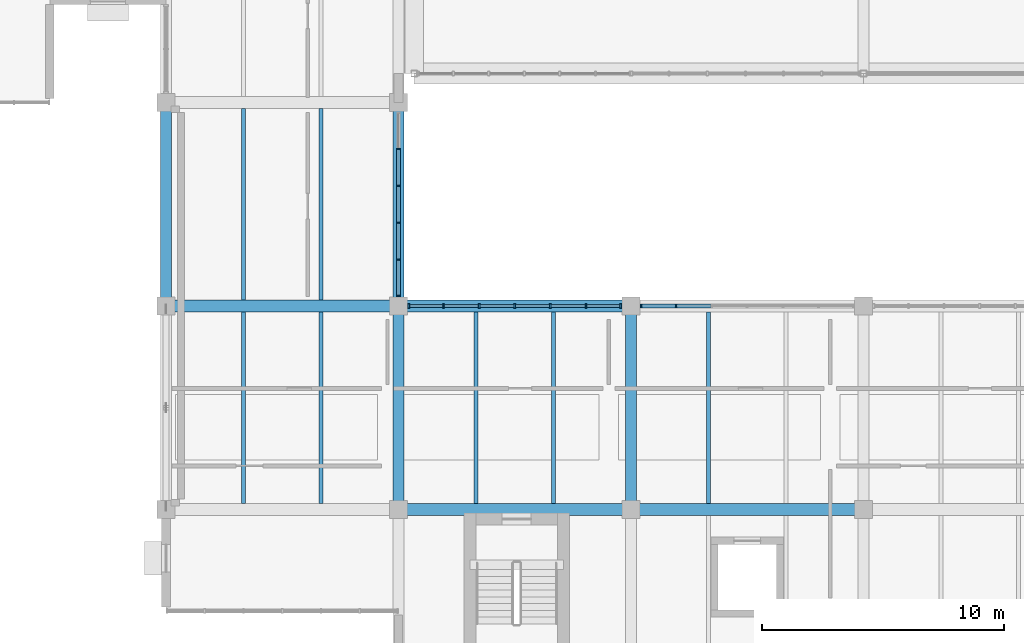
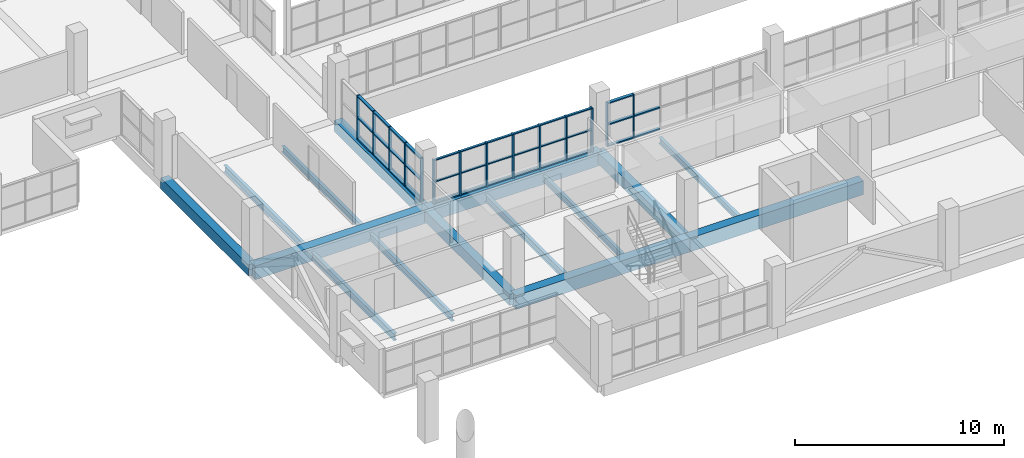
# One storey, part 52 of 147: 49 members, 15 beams, 3 elements without a shape of their own.
"""IFC4 building model written with IfcOpenShell, lengths in metres."""

from ifc_helpers import new_model, si_unit, direction, frame, origin, origin_2d, place, context, subcontext, project, spatial, rectangle, i_section, extrude, material, material_profile, profile_set, type_object, element, aggregate, save


model = new_model("IFC4")

# Units and contexts
model_context = context("Model", 3, precision=1e-05, world=origin(), true_north=direction((0.0, 1.0)))
body_context = subcontext(model_context, "Body", "Model", "MODEL_VIEW")
ifc_project = project(units=[si_unit("LENGTHUNIT", "METRE"), si_unit("AREAUNIT", "SQUARE_METRE"), si_unit("VOLUMEUNIT", "CUBIC_METRE"), si_unit("PLANEANGLEUNIT", "RADIAN"), si_unit("MASSUNIT", "GRAM", prefix="KILO")], contexts=[model_context])

# Site, building, storey
site_placement = place(None, origin())
site = spatial("IfcSite", under=ifc_project, at=site_placement, CompositionType="ELEMENT")
building_placement = place(site_placement, origin())
building = spatial("IfcBuilding", under=site, at=building_placement, Name="Oolite Switchyard Hospital", CompositionType="ELEMENT")
storey_placement = place(building_placement, frame((0.0, 0.0, 9.89990234375)))
storey = spatial("IfcBuildingStorey", under=building, at=storey_placement, Name="L02", CompositionType="ELEMENT", Elevation=9.89990234375)

# Beams
ifc_material_1 = material(Name="Concrete C40/50", Category="concrete")
ifc_material_profile_1 = material_profile(ifc_material_1, rectangle(XDim=0.449951171875, YDim=0.64990234375, at=origin_2d()), Name="RCB450X650")
ifc_profile_set_1 = profile_set([ifc_material_profile_1], Name="Concrete C40/50")
beam_type_1 = type_object("IfcBeamType", Name="BM-RC450X650", PredefinedType="BEAM", material=ifc_profile_set_1)
beam_1_placement = place(storey_placement, frame((134.39990234375, 25.199951171875, -0.324951171875), z_axis=(0.0, 1.0, 0.0), x_axis=(-1.0, 0.0, 0.0)))
element("IfcBeam", 1, at=beam_1_placement, inside=storey, type_object=beam_type_1, Name="L02 Y-Girder 1401", PredefinedType="BEAM", context=body_context, shape_type="SweptSolid", body=[
    extrude(rectangle(XDim=0.449951171875, YDim=0.64990234375, at=origin_2d()), origin(), (0.0, 0.0, 1.0), 8.400146484375),
])
beam_2_placement = place(storey_placement, frame((144.0, 16.800048828125, -0.324951171875), z_axis=(0.0, 1.0, 0.0), x_axis=(-1.0, 0.0, 0.0)))
element("IfcBeam", 2, at=beam_2_placement, inside=storey, type_object=beam_type_1, Name="L02 Y-Girder 1415", PredefinedType="BEAM", context=body_context, shape_type="SweptSolid", body=[
    extrude(rectangle(XDim=0.449951171875, YDim=0.64990234375, at=origin_2d()), origin(), (0.0, 0.0, 1.0), 8.39990234375),
])
beam_3_placement = place(storey_placement, frame((144.0, 25.199951171875, -0.324951171875), z_axis=(0.0, 1.0, 0.0), x_axis=(-1.0, 0.0, 0.0)))
element("IfcBeam", 3, at=beam_3_placement, inside=storey, type_object=beam_type_1, Name="L02 Y-Girder 1416", PredefinedType="BEAM", context=body_context, shape_type="SweptSolid", body=[
    extrude(rectangle(XDim=0.449951171875, YDim=0.64990234375, at=origin_2d()), origin(), (0.0, 0.0, 1.0), 8.400146484375),
])
beam_4_placement = place(storey_placement, frame((153.60009765625, 16.800048828125, -0.324951171875), z_axis=(0.0, 1.0, 0.0), x_axis=(-1.0, 0.0, 0.0)))
element("IfcBeam", 4, at=beam_4_placement, inside=storey, type_object=beam_type_1, Name="L02 Y-Girder 1432", PredefinedType="BEAM", context=body_context, shape_type="SweptSolid", body=[
    extrude(rectangle(XDim=0.449951171875, YDim=0.64990234375, at=origin_2d()), origin(), (0.0, 0.0, 1.0), 8.39990234375),
])
ifc_material_profile_2 = material_profile(ifc_material_1, rectangle(XDim=0.5, YDim=0.800048828125, at=origin_2d()), Name="RCB500X800")
ifc_profile_set_2 = profile_set([ifc_material_profile_2], Name="Concrete C40/50")
beam_type_2 = type_object("IfcBeamType", Name="BM-RC500X800", PredefinedType="BEAM", material=ifc_profile_set_2)
beam_5_placement = place(storey_placement, frame((144.0, 16.800048828125, -0.39990234375), z_axis=(1.0, 0.0, 0.0), x_axis=(0.0, 1.0, 0.0)))
element("IfcBeam", 5, at=beam_5_placement, inside=storey, type_object=beam_type_2, Name="L02 X-Girder 1012", PredefinedType="BEAM", context=body_context, shape_type="SweptSolid", body=[
    extrude(rectangle(XDim=0.5, YDim=0.800048828125, at=origin_2d()), origin(), (0.0, 0.0, 1.0), 9.60009765625),
])
beam_6_placement = place(storey_placement, frame((153.60009765625, 16.800048828125, -0.39990234375), z_axis=(1.0, 0.0, 0.0), x_axis=(0.0, 1.0, 0.0)))
element("IfcBeam", 6, at=beam_6_placement, inside=storey, type_object=beam_type_2, Name="L02 X-Girder 1013", PredefinedType="BEAM", context=body_context, shape_type="SweptSolid", body=[
    extrude(rectangle(XDim=0.5, YDim=0.800048828125, at=origin_2d()), origin(), (0.0, 0.0, 1.0), 9.599853515625),
])
for number, where, z_axis, x_axis, name in (
    (7, (134.39990234375, 25.199951171875, -0.39990234375), (1.0, 0.0, 0.0), (0.0, 1.0, 0.0), "L02 X-Girder 1026"),
    (8, (144.0, 25.199951171875, -0.39990234375), (1.0, 0.0, 0.0), (0.0, 1.0, 0.0), "L02 X-Girder 1027"),
):
    element("IfcBeam", number, at=place(storey_placement, frame(where, z_axis=z_axis, x_axis=x_axis)), inside=storey, type_object=beam_type_2, Name=name, PredefinedType="BEAM", context=body_context, shape_type="SweptSolid", body=[
        extrude(rectangle(XDim=0.5, YDim=0.800048828125, at=origin_2d()), origin(), (0.0, 0.0, 1.0), 9.60009765625),
    ])
ifc_material_2 = material(Name="Steel ASTM A992 Grade 50", Category="steel")
ifc_material_profile_3 = material_profile(ifc_material_2, i_section(OverallWidth=0.1708984375, OverallDepth=0.35107421875, WebThickness=0.007080078125, FlangeThickness=0.010009765625, at=origin_2d()), Name="W14X30")
ifc_profile_set_3 = profile_set([ifc_material_profile_3], Name="Steel ASTM A992 Grade 50")
beam_type_3 = type_object("IfcBeamType", Name="BM-W14X30", PredefinedType="JOIST", material=ifc_profile_set_3)
beam_7_placement = place(storey_placement, frame((140.800048828125, 25.449951171875, -0.434814453125), z_axis=(0.0, 1.0, 0.0), x_axis=(-1.0, 0.0, 0.0)))
element("IfcBeam", 9, at=beam_7_placement, inside=storey, type_object=beam_type_3, Name="L02 Secondary Steel Joist 1767", PredefinedType="JOIST", context=body_context, shape_type="SweptSolid", body=[
    extrude(i_section(OverallWidth=0.1708984375, OverallDepth=0.35107421875, WebThickness=0.007080078125, FlangeThickness=0.010009765625, at=origin_2d()), origin(), (0.0, 0.0, 1.0), 7.900146484375),
])
for number, where, z_axis, x_axis, name in (
    (10, (150.39990234375, 17.050048828125, -0.434814453125), (0.0, 1.0, 0.0), (-1.0, 0.0, 0.0), "L02 Secondary Steel Joist 1793"),
    (11, (156.800048828125, 17.050048828125, -0.434814453125), (0.0, 1.0, 0.0), (-1.0, 0.0, 0.0), "L02 Secondary Steel Joist 1814"),
):
    element("IfcBeam", number, at=place(storey_placement, frame(where, z_axis=z_axis, x_axis=x_axis)), inside=storey, type_object=beam_type_3, Name=name, PredefinedType="JOIST", context=body_context, shape_type="SweptSolid", body=[
        extrude(i_section(OverallWidth=0.1708984375, OverallDepth=0.35107421875, WebThickness=0.007080078125, FlangeThickness=0.010009765625, at=origin_2d()), origin(), (0.0, 0.0, 1.0), 7.89990234375),
    ])
ifc_material_profile_4 = material_profile(ifc_material_2, i_section(OverallWidth=0.177978515625, OverallDepth=0.403076171875, WebThickness=0.008056640625, FlangeThickness=0.010986328125, at=origin_2d()), Name="W16X36")
ifc_profile_set_4 = profile_set([ifc_material_profile_4], Name="Steel ASTM A992 Grade 50")
beam_type_4 = type_object("IfcBeamType", Name="BM-W16X36", PredefinedType="JOIST", material=ifc_profile_set_4)
beam_8_placement = place(storey_placement, frame((140.800048828125, 17.050048828125, -0.4609375), z_axis=(0.0, 1.0, 0.0), x_axis=(-1.0, 0.0, 0.0)))
element("IfcBeam", 12, at=beam_8_placement, inside=storey, type_object=beam_type_4, Name="L02 Secondary Steel Joist 1765", PredefinedType="JOIST", context=body_context, shape_type="SweptSolid", body=[
    extrude(i_section(OverallWidth=0.177978515625, OverallDepth=0.403076171875, WebThickness=0.008056640625, FlangeThickness=0.010986328125, at=origin_2d()), origin(), (0.0, 0.0, 1.0), 7.89990234375),
])
beam_9_placement = place(storey_placement, frame((137.60009765625, 25.449951171875, -0.4609375), z_axis=(0.0, 1.0, 0.0), x_axis=(-1.0, 0.0, 0.0)))
element("IfcBeam", 13, at=beam_9_placement, inside=storey, type_object=beam_type_4, Name="L02 Secondary Steel Joist 1766", PredefinedType="JOIST", context=body_context, shape_type="SweptSolid", body=[
    extrude(i_section(OverallWidth=0.177978515625, OverallDepth=0.403076171875, WebThickness=0.008056640625, FlangeThickness=0.010986328125, at=origin_2d()), origin(), (0.0, 0.0, 1.0), 7.900146484375),
])
beam_10_placement = place(storey_placement, frame((147.199951171875, 17.050048828125, -0.4609375), z_axis=(0.0, 1.0, 0.0), x_axis=(-1.0, 0.0, 0.0)))
element("IfcBeam", 14, at=beam_10_placement, inside=storey, type_object=beam_type_4, Name="L02 Secondary Steel Joist 1792", PredefinedType="JOIST", context=body_context, shape_type="SweptSolid", body=[
    extrude(i_section(OverallWidth=0.177978515625, OverallDepth=0.403076171875, WebThickness=0.008056640625, FlangeThickness=0.010986328125, at=origin_2d()), origin(), (0.0, 0.0, 1.0), 7.89990234375),
])
ifc_material_profile_5 = material_profile(ifc_material_2, i_section(OverallWidth=0.179931640625, OverallDepth=0.4130859375, WebThickness=0.010009765625, FlangeThickness=0.01611328125, at=origin_2d()), Name="W16X50")
ifc_profile_set_5 = profile_set([ifc_material_profile_5], Name="Steel ASTM A992 Grade 50")
beam_type_5 = type_object("IfcBeamType", Name="BM-W16X50", PredefinedType="JOIST", material=ifc_profile_set_5)
beam_11_placement = place(storey_placement, frame((137.60009765625, 17.050048828125, -0.4658203125), z_axis=(0.0, 1.0, 0.0), x_axis=(-1.0, 0.0, 0.0)))
element("IfcBeam", 15, at=beam_11_placement, inside=storey, type_object=beam_type_5, Name="L02 Secondary Steel Joist 1764", PredefinedType="JOIST", context=body_context, shape_type="SweptSolid", body=[
    extrude(i_section(OverallWidth=0.179931640625, OverallDepth=0.4130859375, WebThickness=0.010009765625, FlangeThickness=0.01611328125, at=origin_2d()), origin(), (0.0, 0.0, 1.0), 7.89990234375),
])

# Curtain wall, members
ifc_material_3 = material(Name="Thermally broken aluminum frame with laminated impact glazing", Category="aluminium")
curtain_wall_type_1 = type_object("IfcCurtainWallType", Name="CW-UNIT-96X36", PredefinedType="USERDEFINED", material=ifc_material_3)
curtain_wall_1_placement = place(storey_placement, origin())
curtain_wall_1 = element("IfcCurtainWall", 16, at=curtain_wall_1_placement, inside=storey, type_object=curtain_wall_type_1, Name="L02 Unitised Curtain Wall 217", ObjectType="UNITISED", PredefinedType="USERDEFINED")
ifc_material_4 = material(Name="Aluminium 6063-T6", Category="aluminium")
ifc_material_profile_6 = material_profile(ifc_material_4, rectangle(XDim=0.159912109375, YDim=0.06005859375, at=origin_2d()), Name="CWM60X160")
ifc_profile_set_6 = profile_set([ifc_material_profile_6], Name="Aluminium 6063-T6")
member_type_1 = type_object("IfcMemberType", Name="CW-MUL-180", PredefinedType="MULLION", material=ifc_profile_set_6)
member_1_placement = place(storey_placement, frame((154.02001953125, 25.199951171875, 0.0), z_axis=(0.0, 0.0, 1.0), x_axis=(0.0, 1.0, 0.0)))
member_1 = element("IfcMember", 17, at=member_1_placement, type_object=member_type_1, Name="CW-03 mullion 1", PredefinedType="MULLION", context=body_context, shape_type="SweptSolid", body=[
    extrude(rectangle(XDim=0.159912109375, YDim=0.06005859375, at=origin_2d()), origin(), (0.0, 0.0, 1.0), 2.570068359375),
])
member_2_placement = place(storey_placement, frame((155.4599609375, 25.199951171875, 0.0), z_axis=(0.0, 0.0, 1.0), x_axis=(0.0, 1.0, 0.0)))
member_2 = element("IfcMember", 18, at=member_2_placement, type_object=member_type_1, Name="CW-03 mullion 2", PredefinedType="MULLION", context=body_context, shape_type="SweptSolid", body=[
    extrude(rectangle(XDim=0.159912109375, YDim=0.06005859375, at=origin_2d()), origin(), (0.0, 0.0, 1.0), 2.570068359375),
])

curtain_wall_type_2 = type_object("IfcCurtainWallType", Name="CW-UNIT-84X36", PredefinedType="USERDEFINED", material=ifc_material_3)
curtain_wall_2_placement = place(storey_placement, origin())
curtain_wall_2 = element("IfcCurtainWall", 19, at=curtain_wall_2_placement, inside=storey, type_object=curtain_wall_type_2, Name="L02 Unitised Curtain Wall 301", ObjectType="UNITISED", PredefinedType="USERDEFINED")
member_3_placement = place(storey_placement, frame((144.0, 31.68603515625, 0.0), z_axis=(0.0, 0.0, 1.0), x_axis=(1.0, 0.0, 0.0)))
member_3 = element("IfcMember", 20, at=member_3_placement, type_object=member_type_1, Name="CW-08 mullion 2", PredefinedType="MULLION", context=body_context, shape_type="SweptSolid", body=[
    extrude(rectangle(XDim=0.159912109375, YDim=0.06005859375, at=origin_2d()), origin(), (0.0, 0.0, 1.0), 2.570068359375),
])
member_4_placement = place(storey_placement, frame((144.0, 30.162109375, 0.0), z_axis=(0.0, 0.0, 1.0), x_axis=(1.0, 0.0, 0.0)))
member_4 = element("IfcMember", 21, at=member_4_placement, type_object=member_type_1, Name="CW-08 mullion 3", PredefinedType="MULLION", context=body_context, shape_type="SweptSolid", body=[
    extrude(rectangle(XDim=0.159912109375, YDim=0.06005859375, at=origin_2d()), origin(), (0.0, 0.0, 1.0), 2.570068359375),
])
member_5_placement = place(storey_placement, frame((144.0, 28.637939453125, 0.0), z_axis=(0.0, 0.0, 1.0), x_axis=(1.0, 0.0, 0.0)))
member_5 = element("IfcMember", 22, at=member_5_placement, type_object=member_type_1, Name="CW-08 mullion 4", PredefinedType="MULLION", context=body_context, shape_type="SweptSolid", body=[
    extrude(rectangle(XDim=0.159912109375, YDim=0.06005859375, at=origin_2d()), origin(), (0.0, 0.0, 1.0), 2.570068359375),
])
member_6_placement = place(storey_placement, frame((144.0, 27.114013671875, 0.0), z_axis=(0.0, 0.0, 1.0), x_axis=(1.0, 0.0, 0.0)))
member_6 = element("IfcMember", 23, at=member_6_placement, type_object=member_type_1, Name="CW-08 mullion 5", PredefinedType="MULLION", context=body_context, shape_type="SweptSolid", body=[
    extrude(rectangle(XDim=0.159912109375, YDim=0.06005859375, at=origin_2d()), origin(), (0.0, 0.0, 1.0), 2.570068359375),
])
member_7_placement = place(storey_placement, frame((144.0, 25.6201171875, 0.0), z_axis=(0.0, 0.0, 1.0), x_axis=(1.0, 0.0, 0.0)))
member_7 = element("IfcMember", 24, at=member_7_placement, type_object=member_type_1, Name="CW-08 mullion 6", PredefinedType="MULLION", context=body_context, shape_type="SweptSolid", body=[
    extrude(rectangle(XDim=0.159912109375, YDim=0.06005859375, at=origin_2d()), origin(), (0.0, 0.0, 1.0), 2.570068359375),
])

curtain_wall_3_placement = place(storey_placement, origin())
curtain_wall_3 = element("IfcCurtainWall", 25, at=curtain_wall_3_placement, inside=storey, type_object=curtain_wall_type_1, Name="L02 Unitised Curtain Wall 216", ObjectType="UNITISED", PredefinedType="USERDEFINED")
ifc_material_profile_7 = material_profile(ifc_material_4, rectangle(XDim=0.199951171875, YDim=0.074951171875, at=origin_2d()), Name="CWM75X200")
ifc_profile_set_7 = profile_set([ifc_material_profile_7], Name="Aluminium 6063-T6")
member_type_2 = type_object("IfcMemberType", Name="CW-MUL-260", PredefinedType="MULLION", material=ifc_profile_set_7)
member_8_placement = place(storey_placement, frame((144.427490234375, 25.199951171875, 0.0), z_axis=(0.0, 0.0, 1.0), x_axis=(0.0, 1.0, 0.0)))
member_8 = element("IfcMember", 26, at=member_8_placement, type_object=member_type_2, Name="CW-03 mullion 1", PredefinedType="MULLION", context=body_context, shape_type="SweptSolid", body=[
    extrude(rectangle(XDim=0.199951171875, YDim=0.074951171875, at=origin_2d()), origin(), (0.0, 0.0, 1.0), 2.570068359375),
])
member_9_placement = place(storey_placement, frame((145.860107421875, 25.199951171875, 0.0), z_axis=(0.0, 0.0, 1.0), x_axis=(0.0, 1.0, 0.0)))
member_9 = element("IfcMember", 27, at=member_9_placement, type_object=member_type_2, Name="CW-03 mullion 2", PredefinedType="MULLION", context=body_context, shape_type="SweptSolid", body=[
    extrude(rectangle(XDim=0.199951171875, YDim=0.074951171875, at=origin_2d()), origin(), (0.0, 0.0, 1.0), 2.570068359375),
])
member_10_placement = place(storey_placement, frame((147.330078125, 25.199951171875, 0.0), z_axis=(0.0, 0.0, 1.0), x_axis=(0.0, 1.0, 0.0)))
member_10 = element("IfcMember", 28, at=member_10_placement, type_object=member_type_2, Name="CW-03 mullion 3", PredefinedType="MULLION", context=body_context, shape_type="SweptSolid", body=[
    extrude(rectangle(XDim=0.199951171875, YDim=0.074951171875, at=origin_2d()), origin(), (0.0, 0.0, 1.0), 2.570068359375),
])
member_11_placement = place(storey_placement, frame((148.800048828125, 25.199951171875, 0.0), z_axis=(0.0, 0.0, 1.0), x_axis=(0.0, 1.0, 0.0)))
member_11 = element("IfcMember", 29, at=member_11_placement, type_object=member_type_2, Name="CW-03 mullion 4", PredefinedType="MULLION", context=body_context, shape_type="SweptSolid", body=[
    extrude(rectangle(XDim=0.199951171875, YDim=0.074951171875, at=origin_2d()), origin(), (0.0, 0.0, 1.0), 2.570068359375),
])
member_12_placement = place(storey_placement, frame((150.27001953125, 25.199951171875, 0.0), z_axis=(0.0, 0.0, 1.0), x_axis=(0.0, 1.0, 0.0)))
member_12 = element("IfcMember", 30, at=member_12_placement, type_object=member_type_2, Name="CW-03 mullion 5", PredefinedType="MULLION", context=body_context, shape_type="SweptSolid", body=[
    extrude(rectangle(XDim=0.199951171875, YDim=0.074951171875, at=origin_2d()), origin(), (0.0, 0.0, 1.0), 2.570068359375),
])
member_13_placement = place(storey_placement, frame((151.739990234375, 25.199951171875, 0.0), z_axis=(0.0, 0.0, 1.0), x_axis=(0.0, 1.0, 0.0)))
member_13 = element("IfcMember", 31, at=member_13_placement, type_object=member_type_2, Name="CW-03 mullion 6", PredefinedType="MULLION", context=body_context, shape_type="SweptSolid", body=[
    extrude(rectangle(XDim=0.199951171875, YDim=0.074951171875, at=origin_2d()), origin(), (0.0, 0.0, 1.0), 2.570068359375),
])
member_14_placement = place(storey_placement, frame((153.172607421875, 25.199951171875, 0.0), z_axis=(0.0, 0.0, 1.0), x_axis=(0.0, 1.0, 0.0)))
member_14 = element("IfcMember", 32, at=member_14_placement, type_object=member_type_2, Name="CW-03 mullion 7", PredefinedType="MULLION", context=body_context, shape_type="SweptSolid", body=[
    extrude(rectangle(XDim=0.199951171875, YDim=0.074951171875, at=origin_2d()), origin(), (0.0, 0.0, 1.0), 2.570068359375),
])
ifc_material_profile_8 = material_profile(ifc_material_4, rectangle(XDim=0.1201171875, YDim=0.06005859375, at=origin_2d()), Name="CWT60X120")
ifc_profile_set_8 = profile_set([ifc_material_profile_8], Name="Aluminium 6063-T6")
member_type_3 = type_object("IfcMemberType", Name="CW-TRN-150", PredefinedType="USERDEFINED", material=ifc_profile_set_8)
member_15_placement = place(storey_placement, frame((144.465087890625, 25.199951171875, 0.030029296875), z_axis=(1.0, 0.0, 0.0), x_axis=(0.0, 1.0, 0.0)))
member_15 = element("IfcMember", 33, at=member_15_placement, type_object=member_type_3, Name="CW-03 transom 1.1", ObjectType="TRANSOM", PredefinedType="USERDEFINED", context=body_context, shape_type="SweptSolid", body=[
    extrude(rectangle(XDim=0.1201171875, YDim=0.06005859375, at=origin_2d()), origin(), (0.0, 0.0, 1.0), 1.357421875),
])
member_16_placement = place(storey_placement, frame((144.465087890625, 25.199951171875, 1.28515625), z_axis=(1.0, 0.0, 0.0), x_axis=(0.0, 1.0, 0.0)))
member_16 = element("IfcMember", 34, at=member_16_placement, type_object=member_type_3, Name="CW-03 transom 1.2", ObjectType="TRANSOM", PredefinedType="USERDEFINED", context=body_context, shape_type="SweptSolid", body=[
    extrude(rectangle(XDim=0.1201171875, YDim=0.06005859375, at=origin_2d()), origin(), (0.0, 0.0, 1.0), 1.357421875),
])
member_17_placement = place(storey_placement, frame((144.465087890625, 25.199951171875, 2.5400390625), z_axis=(1.0, 0.0, 0.0), x_axis=(0.0, 1.0, 0.0)))
member_17 = element("IfcMember", 35, at=member_17_placement, type_object=member_type_3, Name="CW-03 transom 1.3", ObjectType="TRANSOM", PredefinedType="USERDEFINED", context=body_context, shape_type="SweptSolid", body=[
    extrude(rectangle(XDim=0.1201171875, YDim=0.06005859375, at=origin_2d()), origin(), (0.0, 0.0, 1.0), 1.357421875),
])
member_18_placement = place(storey_placement, frame((145.8974609375, 25.199951171875, 0.030029296875), z_axis=(1.0, 0.0, 0.0), x_axis=(0.0, 1.0, 0.0)))
member_18 = element("IfcMember", 36, at=member_18_placement, type_object=member_type_3, Name="CW-03 transom 2.1", ObjectType="TRANSOM", PredefinedType="USERDEFINED", context=body_context, shape_type="SweptSolid", body=[
    extrude(rectangle(XDim=0.1201171875, YDim=0.06005859375, at=origin_2d()), origin(), (0.0, 0.0, 1.0), 1.39501953125),
])
member_19_placement = place(storey_placement, frame((145.8974609375, 25.199951171875, 1.28515625), z_axis=(1.0, 0.0, 0.0), x_axis=(0.0, 1.0, 0.0)))
member_19 = element("IfcMember", 37, at=member_19_placement, type_object=member_type_3, Name="CW-03 transom 2.2", ObjectType="TRANSOM", PredefinedType="USERDEFINED", context=body_context, shape_type="SweptSolid", body=[
    extrude(rectangle(XDim=0.1201171875, YDim=0.06005859375, at=origin_2d()), origin(), (0.0, 0.0, 1.0), 1.39501953125),
])
member_20_placement = place(storey_placement, frame((145.8974609375, 25.199951171875, 2.5400390625), z_axis=(1.0, 0.0, 0.0), x_axis=(0.0, 1.0, 0.0)))
member_20 = element("IfcMember", 38, at=member_20_placement, type_object=member_type_3, Name="CW-03 transom 2.3", ObjectType="TRANSOM", PredefinedType="USERDEFINED", context=body_context, shape_type="SweptSolid", body=[
    extrude(rectangle(XDim=0.1201171875, YDim=0.06005859375, at=origin_2d()), origin(), (0.0, 0.0, 1.0), 1.39501953125),
])
member_21_placement = place(storey_placement, frame((147.367431640625, 25.199951171875, 0.030029296875), z_axis=(1.0, 0.0, 0.0), x_axis=(0.0, 1.0, 0.0)))
member_21 = element("IfcMember", 39, at=member_21_placement, type_object=member_type_3, Name="CW-03 transom 3.1", ObjectType="TRANSOM", PredefinedType="USERDEFINED", context=body_context, shape_type="SweptSolid", body=[
    extrude(rectangle(XDim=0.1201171875, YDim=0.06005859375, at=origin_2d()), origin(), (0.0, 0.0, 1.0), 1.39501953125),
])
member_22_placement = place(storey_placement, frame((147.367431640625, 25.199951171875, 1.28515625), z_axis=(1.0, 0.0, 0.0), x_axis=(0.0, 1.0, 0.0)))
member_22 = element("IfcMember", 40, at=member_22_placement, type_object=member_type_3, Name="CW-03 transom 3.2", ObjectType="TRANSOM", PredefinedType="USERDEFINED", context=body_context, shape_type="SweptSolid", body=[
    extrude(rectangle(XDim=0.1201171875, YDim=0.06005859375, at=origin_2d()), origin(), (0.0, 0.0, 1.0), 1.39501953125),
])
member_23_placement = place(storey_placement, frame((147.367431640625, 25.199951171875, 2.5400390625), z_axis=(1.0, 0.0, 0.0), x_axis=(0.0, 1.0, 0.0)))
member_23 = element("IfcMember", 41, at=member_23_placement, type_object=member_type_3, Name="CW-03 transom 3.3", ObjectType="TRANSOM", PredefinedType="USERDEFINED", context=body_context, shape_type="SweptSolid", body=[
    extrude(rectangle(XDim=0.1201171875, YDim=0.06005859375, at=origin_2d()), origin(), (0.0, 0.0, 1.0), 1.39501953125),
])
member_24_placement = place(storey_placement, frame((148.83740234375, 25.199951171875, 0.030029296875), z_axis=(1.0, 0.0, 0.0), x_axis=(0.0, 1.0, 0.0)))
member_24 = element("IfcMember", 42, at=member_24_placement, type_object=member_type_3, Name="CW-03 transom 4.1", ObjectType="TRANSOM", PredefinedType="USERDEFINED", context=body_context, shape_type="SweptSolid", body=[
    extrude(rectangle(XDim=0.1201171875, YDim=0.06005859375, at=origin_2d()), origin(), (0.0, 0.0, 1.0), 1.39501953125),
])
member_25_placement = place(storey_placement, frame((148.83740234375, 25.199951171875, 1.28515625), z_axis=(1.0, 0.0, 0.0), x_axis=(0.0, 1.0, 0.0)))
member_25 = element("IfcMember", 43, at=member_25_placement, type_object=member_type_3, Name="CW-03 transom 4.2", ObjectType="TRANSOM", PredefinedType="USERDEFINED", context=body_context, shape_type="SweptSolid", body=[
    extrude(rectangle(XDim=0.1201171875, YDim=0.06005859375, at=origin_2d()), origin(), (0.0, 0.0, 1.0), 1.39501953125),
])
member_26_placement = place(storey_placement, frame((148.83740234375, 25.199951171875, 2.5400390625), z_axis=(1.0, 0.0, 0.0), x_axis=(0.0, 1.0, 0.0)))
member_26 = element("IfcMember", 44, at=member_26_placement, type_object=member_type_3, Name="CW-03 transom 4.3", ObjectType="TRANSOM", PredefinedType="USERDEFINED", context=body_context, shape_type="SweptSolid", body=[
    extrude(rectangle(XDim=0.1201171875, YDim=0.06005859375, at=origin_2d()), origin(), (0.0, 0.0, 1.0), 1.39501953125),
])
member_27_placement = place(storey_placement, frame((150.3076171875, 25.199951171875, 0.030029296875), z_axis=(1.0, 0.0, 0.0), x_axis=(0.0, 1.0, 0.0)))
member_27 = element("IfcMember", 45, at=member_27_placement, type_object=member_type_3, Name="CW-03 transom 5.1", ObjectType="TRANSOM", PredefinedType="USERDEFINED", context=body_context, shape_type="SweptSolid", body=[
    extrude(rectangle(XDim=0.1201171875, YDim=0.06005859375, at=origin_2d()), origin(), (0.0, 0.0, 1.0), 1.394775390625),
])
member_28_placement = place(storey_placement, frame((150.3076171875, 25.199951171875, 1.28515625), z_axis=(1.0, 0.0, 0.0), x_axis=(0.0, 1.0, 0.0)))
member_28 = element("IfcMember", 46, at=member_28_placement, type_object=member_type_3, Name="CW-03 transom 5.2", ObjectType="TRANSOM", PredefinedType="USERDEFINED", context=body_context, shape_type="SweptSolid", body=[
    extrude(rectangle(XDim=0.1201171875, YDim=0.06005859375, at=origin_2d()), origin(), (0.0, 0.0, 1.0), 1.394775390625),
])
member_29_placement = place(storey_placement, frame((150.3076171875, 25.199951171875, 2.5400390625), z_axis=(1.0, 0.0, 0.0), x_axis=(0.0, 1.0, 0.0)))
member_29 = element("IfcMember", 47, at=member_29_placement, type_object=member_type_3, Name="CW-03 transom 5.3", ObjectType="TRANSOM", PredefinedType="USERDEFINED", context=body_context, shape_type="SweptSolid", body=[
    extrude(rectangle(XDim=0.1201171875, YDim=0.06005859375, at=origin_2d()), origin(), (0.0, 0.0, 1.0), 1.394775390625),
])
member_30_placement = place(storey_placement, frame((151.777587890625, 25.199951171875, 0.030029296875), z_axis=(1.0, 0.0, 0.0), x_axis=(0.0, 1.0, 0.0)))
member_30 = element("IfcMember", 48, at=member_30_placement, type_object=member_type_3, Name="CW-03 transom 6.1", ObjectType="TRANSOM", PredefinedType="USERDEFINED", context=body_context, shape_type="SweptSolid", body=[
    extrude(rectangle(XDim=0.1201171875, YDim=0.06005859375, at=origin_2d()), origin(), (0.0, 0.0, 1.0), 1.357421875),
])
member_31_placement = place(storey_placement, frame((151.777587890625, 25.199951171875, 1.28515625), z_axis=(1.0, 0.0, 0.0), x_axis=(0.0, 1.0, 0.0)))
member_31 = element("IfcMember", 49, at=member_31_placement, type_object=member_type_3, Name="CW-03 transom 6.2", ObjectType="TRANSOM", PredefinedType="USERDEFINED", context=body_context, shape_type="SweptSolid", body=[
    extrude(rectangle(XDim=0.1201171875, YDim=0.06005859375, at=origin_2d()), origin(), (0.0, 0.0, 1.0), 1.357421875),
])
member_32_placement = place(storey_placement, frame((151.777587890625, 25.199951171875, 2.5400390625), z_axis=(1.0, 0.0, 0.0), x_axis=(0.0, 1.0, 0.0)))
member_32 = element("IfcMember", 50, at=member_32_placement, type_object=member_type_3, Name="CW-03 transom 6.3", ObjectType="TRANSOM", PredefinedType="USERDEFINED", context=body_context, shape_type="SweptSolid", body=[
    extrude(rectangle(XDim=0.1201171875, YDim=0.06005859375, at=origin_2d()), origin(), (0.0, 0.0, 1.0), 1.357421875),
])
aggregate(curtain_wall_3, [member_8, member_9, member_10, member_11, member_12, member_13, member_14, member_15, member_16, member_17, member_18, member_19, member_20, member_21, member_22, member_23, member_24, member_25, member_26, member_27, member_28, member_29, member_30, member_31, member_32])

# Member
ifc_material_profile_9 = material_profile(ifc_material_4, rectangle(XDim=0.159912109375, YDim=0.074951171875, at=origin_2d()), Name="CWT75X160")
ifc_profile_set_9 = profile_set([ifc_material_profile_9], Name="Aluminium 6063-T6")
member_type_4 = type_object("IfcMemberType", Name="CW-TRN-180", PredefinedType="USERDEFINED", material=ifc_profile_set_9)
member_33_placement = place(storey_placement, frame((154.050048828125, 25.199951171875, 0.03759765625), z_axis=(1.0, 0.0, 0.0), x_axis=(0.0, 1.0, 0.0)))
member_33 = element("IfcMember", 51, at=member_33_placement, type_object=member_type_4, Name="CW-03 transom 1.1", ObjectType="TRANSOM", PredefinedType="USERDEFINED", context=body_context, shape_type="SweptSolid", body=[
    extrude(rectangle(XDim=0.159912109375, YDim=0.074951171875, at=origin_2d()), origin(), (0.0, 0.0, 1.0), 1.3798828125),
])

member_34_placement = place(storey_placement, frame((154.050048828125, 25.199951171875, 1.28515625), z_axis=(1.0, 0.0, 0.0), x_axis=(0.0, 1.0, 0.0)))
member_34 = element("IfcMember", 52, at=member_34_placement, type_object=member_type_4, Name="CW-03 transom 1.2", ObjectType="TRANSOM", PredefinedType="USERDEFINED", context=body_context, shape_type="SweptSolid", body=[
    extrude(rectangle(XDim=0.159912109375, YDim=0.074951171875, at=origin_2d()), origin(), (0.0, 0.0, 1.0), 1.3798828125),
])

member_35_placement = place(storey_placement, frame((154.050048828125, 25.199951171875, 2.53271484375), z_axis=(1.0, 0.0, 0.0), x_axis=(0.0, 1.0, 0.0)))
member_35 = element("IfcMember", 53, at=member_35_placement, type_object=member_type_4, Name="CW-03 transom 1.3", ObjectType="TRANSOM", PredefinedType="USERDEFINED", context=body_context, shape_type="SweptSolid", body=[
    extrude(rectangle(XDim=0.159912109375, YDim=0.074951171875, at=origin_2d()), origin(), (0.0, 0.0, 1.0), 1.3798828125),
])

member_36_placement = place(storey_placement, frame((155.489990234375, 25.199951171875, 0.03759765625), z_axis=(1.0, 0.0, 0.0), x_axis=(0.0, 1.0, 0.0)))
member_36 = element("IfcMember", 54, at=member_36_placement, type_object=member_type_4, Name="CW-03 transom 2.1", ObjectType="TRANSOM", PredefinedType="USERDEFINED", context=body_context, shape_type="SweptSolid", body=[
    extrude(rectangle(XDim=0.159912109375, YDim=0.074951171875, at=origin_2d()), origin(), (0.0, 0.0, 1.0), 1.409912109375),
])

member_37_placement = place(storey_placement, frame((155.489990234375, 25.199951171875, 1.28515625), z_axis=(1.0, 0.0, 0.0), x_axis=(0.0, 1.0, 0.0)))
member_37 = element("IfcMember", 55, at=member_37_placement, type_object=member_type_4, Name="CW-03 transom 2.2", ObjectType="TRANSOM", PredefinedType="USERDEFINED", context=body_context, shape_type="SweptSolid", body=[
    extrude(rectangle(XDim=0.159912109375, YDim=0.074951171875, at=origin_2d()), origin(), (0.0, 0.0, 1.0), 1.409912109375),
])

aggregate(curtain_wall_1, [member_1, member_2, member_33, member_34, member_35, member_36, member_37])

member_38_placement = place(storey_placement, frame((144.0, 31.656005859375, 0.03759765625), z_axis=(0.0, -1.0, 0.0), x_axis=(1.0, 0.0, 0.0)))
member_38 = element("IfcMember", 56, at=member_38_placement, type_object=member_type_4, Name="CW-08 transom 2.1", ObjectType="TRANSOM", PredefinedType="USERDEFINED", context=body_context, shape_type="SweptSolid", body=[
    extrude(rectangle(XDim=0.159912109375, YDim=0.074951171875, at=origin_2d()), origin(), (0.0, 0.0, 1.0), 1.464111328125),
])

member_39_placement = place(storey_placement, frame((144.0, 31.656005859375, 1.28515625), z_axis=(0.0, -1.0, 0.0), x_axis=(1.0, 0.0, 0.0)))
member_39 = element("IfcMember", 57, at=member_39_placement, type_object=member_type_4, Name="CW-08 transom 2.2", ObjectType="TRANSOM", PredefinedType="USERDEFINED", context=body_context, shape_type="SweptSolid", body=[
    extrude(rectangle(XDim=0.159912109375, YDim=0.074951171875, at=origin_2d()), origin(), (0.0, 0.0, 1.0), 1.464111328125),
])

member_40_placement = place(storey_placement, frame((144.0, 31.656005859375, 2.53271484375), z_axis=(0.0, -1.0, 0.0), x_axis=(1.0, 0.0, 0.0)))
member_40 = element("IfcMember", 58, at=member_40_placement, type_object=member_type_4, Name="CW-08 transom 2.3", ObjectType="TRANSOM", PredefinedType="USERDEFINED", context=body_context, shape_type="SweptSolid", body=[
    extrude(rectangle(XDim=0.159912109375, YDim=0.074951171875, at=origin_2d()), origin(), (0.0, 0.0, 1.0), 1.464111328125),
])

member_41_placement = place(storey_placement, frame((144.0, 30.132080078125, 0.03759765625), z_axis=(0.0, -1.0, 0.0), x_axis=(1.0, 0.0, 0.0)))
member_41 = element("IfcMember", 59, at=member_41_placement, type_object=member_type_4, Name="CW-08 transom 3.1", ObjectType="TRANSOM", PredefinedType="USERDEFINED", context=body_context, shape_type="SweptSolid", body=[
    extrude(rectangle(XDim=0.159912109375, YDim=0.074951171875, at=origin_2d()), origin(), (0.0, 0.0, 1.0), 1.464111328125),
])

member_42_placement = place(storey_placement, frame((144.0, 30.132080078125, 1.28515625), z_axis=(0.0, -1.0, 0.0), x_axis=(1.0, 0.0, 0.0)))
member_42 = element("IfcMember", 60, at=member_42_placement, type_object=member_type_4, Name="CW-08 transom 3.2", ObjectType="TRANSOM", PredefinedType="USERDEFINED", context=body_context, shape_type="SweptSolid", body=[
    extrude(rectangle(XDim=0.159912109375, YDim=0.074951171875, at=origin_2d()), origin(), (0.0, 0.0, 1.0), 1.464111328125),
])

member_43_placement = place(storey_placement, frame((144.0, 30.132080078125, 2.53271484375), z_axis=(0.0, -1.0, 0.0), x_axis=(1.0, 0.0, 0.0)))
member_43 = element("IfcMember", 61, at=member_43_placement, type_object=member_type_4, Name="CW-08 transom 3.3", ObjectType="TRANSOM", PredefinedType="USERDEFINED", context=body_context, shape_type="SweptSolid", body=[
    extrude(rectangle(XDim=0.159912109375, YDim=0.074951171875, at=origin_2d()), origin(), (0.0, 0.0, 1.0), 1.464111328125),
])

member_44_placement = place(storey_placement, frame((144.0, 28.60791015625, 0.03759765625), z_axis=(0.0, -1.0, 0.0), x_axis=(1.0, 0.0, 0.0)))
member_44 = element("IfcMember", 62, at=member_44_placement, type_object=member_type_4, Name="CW-08 transom 4.1", ObjectType="TRANSOM", PredefinedType="USERDEFINED", context=body_context, shape_type="SweptSolid", body=[
    extrude(rectangle(XDim=0.159912109375, YDim=0.074951171875, at=origin_2d()), origin(), (0.0, 0.0, 1.0), 1.4638671875),
])

member_45_placement = place(storey_placement, frame((144.0, 28.60791015625, 1.28515625), z_axis=(0.0, -1.0, 0.0), x_axis=(1.0, 0.0, 0.0)))
member_45 = element("IfcMember", 63, at=member_45_placement, type_object=member_type_4, Name="CW-08 transom 4.2", ObjectType="TRANSOM", PredefinedType="USERDEFINED", context=body_context, shape_type="SweptSolid", body=[
    extrude(rectangle(XDim=0.159912109375, YDim=0.074951171875, at=origin_2d()), origin(), (0.0, 0.0, 1.0), 1.4638671875),
])

member_46_placement = place(storey_placement, frame((144.0, 28.60791015625, 2.53271484375), z_axis=(0.0, -1.0, 0.0), x_axis=(1.0, 0.0, 0.0)))
member_46 = element("IfcMember", 64, at=member_46_placement, type_object=member_type_4, Name="CW-08 transom 4.3", ObjectType="TRANSOM", PredefinedType="USERDEFINED", context=body_context, shape_type="SweptSolid", body=[
    extrude(rectangle(XDim=0.159912109375, YDim=0.074951171875, at=origin_2d()), origin(), (0.0, 0.0, 1.0), 1.4638671875),
])

member_47_placement = place(storey_placement, frame((144.0, 27.083984375, 0.03759765625), z_axis=(0.0, -1.0, 0.0), x_axis=(1.0, 0.0, 0.0)))
member_47 = element("IfcMember", 65, at=member_47_placement, type_object=member_type_4, Name="CW-08 transom 5.1", ObjectType="TRANSOM", PredefinedType="USERDEFINED", context=body_context, shape_type="SweptSolid", body=[
    extrude(rectangle(XDim=0.159912109375, YDim=0.074951171875, at=origin_2d()), origin(), (0.0, 0.0, 1.0), 1.43408203125),
])

member_48_placement = place(storey_placement, frame((144.0, 27.083984375, 1.28515625), z_axis=(0.0, -1.0, 0.0), x_axis=(1.0, 0.0, 0.0)))
member_48 = element("IfcMember", 66, at=member_48_placement, type_object=member_type_4, Name="CW-08 transom 5.2", ObjectType="TRANSOM", PredefinedType="USERDEFINED", context=body_context, shape_type="SweptSolid", body=[
    extrude(rectangle(XDim=0.159912109375, YDim=0.074951171875, at=origin_2d()), origin(), (0.0, 0.0, 1.0), 1.43408203125),
])

member_49_placement = place(storey_placement, frame((144.0, 27.083984375, 2.53271484375), z_axis=(0.0, -1.0, 0.0), x_axis=(1.0, 0.0, 0.0)))
member_49 = element("IfcMember", 67, at=member_49_placement, type_object=member_type_4, Name="CW-08 transom 5.3", ObjectType="TRANSOM", PredefinedType="USERDEFINED", context=body_context, shape_type="SweptSolid", body=[
    extrude(rectangle(XDim=0.159912109375, YDim=0.074951171875, at=origin_2d()), origin(), (0.0, 0.0, 1.0), 1.43408203125),
])

aggregate(curtain_wall_2, [member_3, member_4, member_5, member_6, member_7, member_38, member_39, member_40, member_41, member_42, member_43, member_44, member_45, member_46, member_47, member_48, member_49])

save(model, "model.ifc")
